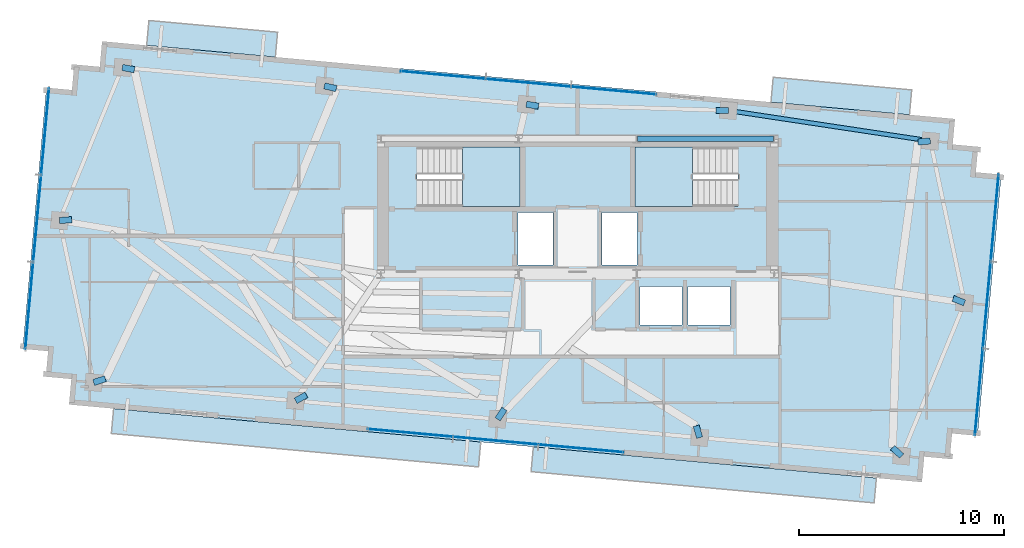
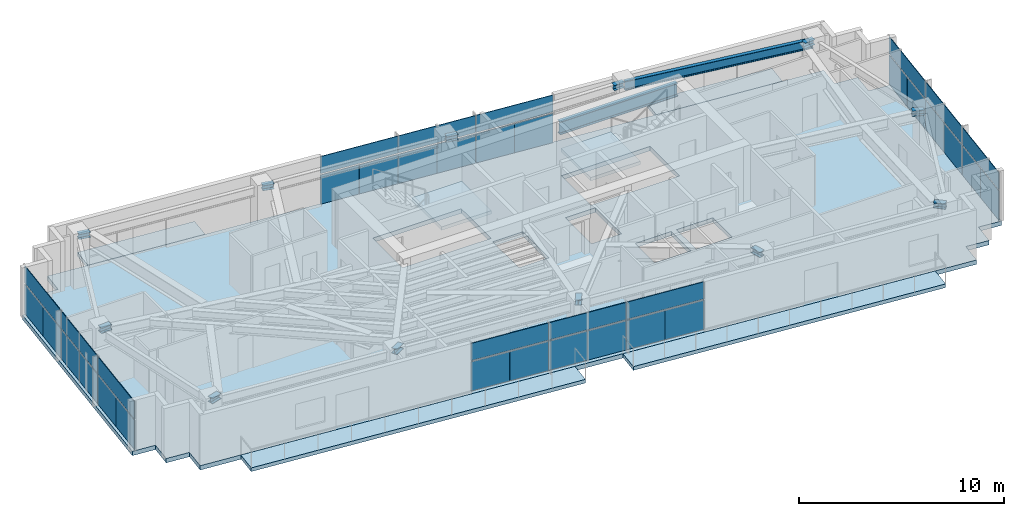
# One storey, part 15 of 22: 36 plates, 14 beams, 7 slabs, 6 elements without a shape of their own.
"""IFC4 building model written with IfcOpenShell, lengths in metres."""

from ifc_helpers import new_model, si_unit, direction, frame, origin, origin_2d, place, context, subcontext, project, spatial, polyline, rectangle, i_section, outline, extrude, source, transform, mapped, material, layer, layer_set, material_profile, profile_set, type_object, type_shapes, element, aggregate, save


model = new_model("IFC4")

# Units and contexts
model_context = context("Model", 3, precision=1e-05, world=origin(), true_north=direction((0.0, 1.0)))
body_context = subcontext(model_context, "Body", "Model", "MODEL_VIEW")
ifc_project = project(units=[si_unit("LENGTHUNIT", "METRE"), si_unit("AREAUNIT", "SQUARE_METRE"), si_unit("VOLUMEUNIT", "CUBIC_METRE"), si_unit("PLANEANGLEUNIT", "RADIAN"), si_unit("MASSUNIT", "GRAM", prefix="KILO")], contexts=[model_context])

# Site, building, storey
site_placement = place(None, origin())
site = spatial("IfcSite", under=ifc_project, at=site_placement, CompositionType="ELEMENT")
building_placement = place(site_placement, origin())
building = spatial("IfcBuilding", under=site, at=building_placement, Name="Astriad Promenade Condominiums", CompositionType="ELEMENT")
storey_placement = place(building_placement, frame((0.0, 0.0, 256.199951171875)))
storey = spatial("IfcBuildingStorey", under=building, at=storey_placement, Name="L74", CompositionType="ELEMENT", Elevation=256.199951171875)

# Beams
ifc_material_1 = material(Name="Steel ASTM A992 Grade 50", Category="steel")
ifc_material_profile_1 = material_profile(ifc_material_1, i_section(OverallWidth=0.267822265625, OverallDepth=0.76953125, WebThickness=0.015625, FlangeThickness=0.025390625, FilletRadius=0.021484375, at=origin_2d()), Name="W30X132")
ifc_profile_set_1 = profile_set([ifc_material_profile_1], Name="Steel ASTM A992 Grade 50")
beam_type_1 = type_object("IfcBeamType", Name="STEEL FLOOR GIRDER W30X132", PredefinedType="BEAM", material=ifc_profile_set_1)
shared_shape_1 = source(origin(), body_context, "Body", "SweptSolid", [
    extrude(i_section(OverallWidth=0.267822265625, OverallDepth=0.76953125, WebThickness=0.015625, FlangeThickness=0.025390625, FilletRadius=0.021484375, at=origin_2d()), origin(), (0.0, 0.0, 1.0), 6.64013671875),
])
type_shapes(beam_type_1, [shared_shape_1])
beam_1_placement = place(storey_placement, frame((38.919921875, 24.0, 2.615234375), z_axis=(1.0, 0.0, 0.0), x_axis=(0.0, 1.0, 0.0)))
element("IfcBeam", 1, at=beam_1_placement, inside=storey, type_object=beam_type_1, Name="Core Ring Beam CG-N3-L74", PredefinedType="BEAM", context=body_context, shape_type="MappedRepresentation", body=[
    mapped(shared_shape_1, transform((0.0, 0.0, 0.0), scale=1.0)),
])
ifc_material_profile_2 = material_profile(ifc_material_1, i_section(OverallWidth=0.3046875, OverallDepth=0.307861328125, WebThickness=0.010009765625, FlangeThickness=0.015380859375, FilletRadius=0.01513671875, at=origin_2d()), Name="W12X65")
ifc_profile_set_2 = profile_set([ifc_material_profile_2], Name="Steel ASTM A992 Grade 50")
beam_type_2 = type_object("IfcBeamType", Name="STEEL TRANSFER SPLICE HEADER W12X65", PredefinedType="LINTEL", material=ifc_profile_set_2)
shared_shape_2 = source(origin(), body_context, "Body", "SweptSolid", [
    extrude(i_section(OverallWidth=0.3046875, OverallDepth=0.307861328125, WebThickness=0.010009765625, FlangeThickness=0.015380859375, FilletRadius=0.01513671875, at=origin_2d()), origin(), (0.0, 0.0, 1.0), 0.6015625),
])
for number, where, z_axis, x_axis, name in (
    (2, (12.3818359375, 12.106201171875, 2.84619140625), (0.952819131931, 0.30353863317, 0.0), (-0.30353863317, 0.952819131931, 0.0), "Column Transfer Splice Header SPL-PC01-L74"),
    (3, (22.2412109375, 11.208984375, 2.84619140625), (0.871076434957, 0.491147477305, 0.0), (-0.491147477305, 0.871076434957, 0.0), "Column Transfer Splice Header SPL-PC02-L74"),
    (4, (41.959716796875, 9.41455078125, 2.84619140625), (-0.282913407584, 0.95914545498, 0.0), (-0.95914545498, -0.282913407584, 0.0), "Column Transfer Splice Header SPL-PC04-L74"),
    (5, (51.81884765625, 8.51708984375, 2.84619140625), (-0.738634842886, 0.674105754963, 0.0), (-0.674105754963, -0.738634842886, 0.0), "Column Transfer Splice Header SPL-PC05-L74"),
    (6, (13.78125, 27.48291015625, 2.84619140625), (0.982423707551, -0.18666456236, 0.0), (0.18666456236, 0.982423707551, 0.0), "Column Transfer Splice Header SPL-PC06-L74"),
    (7, (33.499755859375, 25.688232421875, 2.84619140625), (0.985851152126, -0.167623106557, 0.0), (0.167623106557, 0.985851152126, 0.0), "Column Transfer Splice Header SPL-PC08-L74"),
    (8, (43.35888671875, 25.3798828125, 2.84619140625), (-1.0, 0.0, 0.0), (0.0, -1.0, 0.0), "Column Transfer Splice Header SPL-PC09-L74"),
    (9, (53.21826171875, 23.893798828125, 2.84619140625), (-0.996634733754, -0.081970772076, 0.0), (0.081970772076, -0.996634733754, 0.0), "Column Transfer Splice Header SPL-PC10-L74"),
    (10, (10.711181640625, 20.01025390625, 2.84619140625), (0.997560663074, 0.06980489587, 0.0), (-0.06980489587, 0.997560663074, 0.0), "Column Transfer Splice Header SPL-PC11-L74"),
    (11, (54.888671875, 15.98974609375, 2.84619140625), (-0.930726823416, 0.365715162625, 0.0), (-0.365715162625, -0.930726823416, 0.0), "Column Transfer Splice Header SPL-PC12-L74"),
):
    element("IfcBeam", number, at=place(storey_placement, frame(where, z_axis=z_axis, x_axis=x_axis)), inside=storey, type_object=beam_type_2, Name=name, PredefinedType="LINTEL", context=body_context, shape_type="MappedRepresentation", body=[
        mapped(shared_shape_2, transform((0.0, 0.0, 0.0), scale=1.0)),
    ])
shared_shape_3 = source(origin(), body_context, "Body", "SweptSolid", [
    extrude(i_section(OverallWidth=0.3046875, OverallDepth=0.307861328125, WebThickness=0.010009765625, FlangeThickness=0.015380859375, FilletRadius=0.01513671875, at=origin_2d()), origin(), (0.0, 0.0, 1.0), 0.601318359375),
])
type_shapes(beam_type_2, [shared_shape_2, shared_shape_3])
for number, where, z_axis, x_axis, name in (
    (12, (32.100341796875, 10.311767578125, 2.84619140625), (0.543974857906, 0.839101515889, 0.0), (-0.839101515889, 0.543974857906, 0.0), "Column Transfer Splice Header SPL-PC03-L74"),
    (13, (23.640380859375, 26.58544921875, 2.84619140625), (0.973053927876, -0.230577651662, 0.0), (0.230577651662, 0.973053927876, 0.0), "Column Transfer Splice Header SPL-PC07-L74"),
):
    element("IfcBeam", number, at=place(storey_placement, frame(where, z_axis=z_axis, x_axis=x_axis)), inside=storey, type_object=beam_type_2, Name=name, PredefinedType="LINTEL", context=body_context, shape_type="MappedRepresentation", body=[
        mapped(shared_shape_3, transform((0.0, 0.0, 0.0), scale=1.0)),
    ])
ifc_material_profile_3 = material_profile(ifc_material_1, i_section(OverallWidth=0.210693359375, OverallDepth=0.53955078125, WebThickness=0.01171875, FlangeThickness=0.018798828125, FilletRadius=0.0166015625, at=origin_2d()), Name="W21X73")
ifc_profile_set_3 = profile_set([ifc_material_profile_3], Name="Steel ASTM A992 Grade 50")
beam_type_3 = type_object("IfcBeamType", Name="STEEL SPANDREL BEAM W21X73", PredefinedType="SPANDREL", material=ifc_profile_set_3)
shared_shape_4 = source(origin(), body_context, "Body", "SweptSolid", [
    extrude(i_section(OverallWidth=0.210693359375, OverallDepth=0.53955078125, WebThickness=0.01171875, FlangeThickness=0.018798828125, FilletRadius=0.0166015625, at=origin_2d()), origin(), (0.0, 0.0, 1.0), 9.890869140625),
])
type_shapes(beam_type_3, [shared_shape_4])
beam_2_placement = place(storey_placement, frame((53.1787109375, 23.899658203125, 2.73046875), z_axis=(-0.988827455442, 0.149064628143, 0.0), x_axis=(-0.149064628143, -0.988827455442, 0.0)))
element("IfcBeam", 14, at=beam_2_placement, inside=storey, type_object=beam_type_3, Name="Perimeter Spandrel Beam SP-N4-L74", PredefinedType="SPANDREL", context=body_context, shape_type="MappedRepresentation", body=[
    mapped(shared_shape_4, transform((0.0, 0.0, 0.0), scale=1.0)),
])

# Slab
ifc_material_2 = material(Name="Concrete C50/60", Category="concrete")
ifc_layer_1 = layer(ifc_material_2, 0.260009765625)
ifc_layer_set_1 = layer_set([ifc_layer_1], Name="Concrete C50/60")
slab_type_1 = type_object("IfcSlabType", Name="CONCRETE TOWER FLOOR SLAB 260", PredefinedType="FLOOR", material=ifc_layer_set_1)
slab_1_placement = place(storey_placement, frame((0.0, 0.0, -0.260009765625)))
element("IfcSlab", 15, at=slab_1_placement, inside=storey, type_object=slab_type_1, Name="Structural Floor Slab (L74)", PredefinedType="FLOOR", context=body_context, shape_type="SweptSolid", body=[
    extrude(outline(polyline([(11.179443359375, 11.03076171875), (52.807373046875, 7.242431640625), (52.920654296875, 8.4873046875), (54.16552734375, 8.3740234375), (54.27880859375, 9.618896484375), (55.523681640625, 9.505615234375), (56.68359375, 22.2529296875), (55.43896484375, 22.3662109375), (55.55224609375, 23.611083984375), (54.307373046875, 23.724365234375), (54.420654296875, 24.96923828125), (12.79248046875, 28.757568359375), (12.679443359375, 27.5126953125), (11.4345703125, 27.6259765625), (11.3212890625, 26.381103515625), (10.076416015625, 26.494384765625), (8.916259765625, 13.7470703125), (10.1611328125, 13.6337890625), (10.0478515625, 12.388916015625), (11.292724609375, 12.275634765625), (11.179443359375, 11.03076171875)]), holes=[polyline([(28.175048828125, 20.699951171875), (33.175048828125, 20.699951171875), (33.175048828125, 23.60009765625), (28.175048828125, 23.60009765625), (28.175048828125, 20.699951171875)]), polyline([(38.824951171875, 20.699951171875), (43.824951171875, 20.699951171875), (43.824951171875, 23.60009765625), (38.824951171875, 23.60009765625), (38.824951171875, 20.699951171875)]), polyline([(33.10009765625, 17.85009765625), (34.800048828125, 17.85009765625), (34.800048828125, 20.39990234375), (33.10009765625, 20.39990234375), (33.10009765625, 17.85009765625)]), polyline([(37.199951171875, 17.85009765625), (38.89990234375, 17.85009765625), (38.89990234375, 20.39990234375), (37.199951171875, 20.39990234375), (37.199951171875, 17.85009765625)]), polyline([(39.050048828125, 14.89990234375), (41.10009765625, 14.89990234375), (41.10009765625, 16.800048828125), (39.050048828125, 16.800048828125), (39.050048828125, 14.89990234375)]), polyline([(41.39990234375, 14.89990234375), (43.449951171875, 14.89990234375), (43.449951171875, 16.800048828125), (41.39990234375, 16.800048828125), (41.39990234375, 14.89990234375)])]), origin(), (0.0, 0.0, 1.0), 0.260009765625),
])

# Stair, slab
stair_type = type_object("IfcStairType", Name="STR-CORE-1350", PredefinedType="HALF_TURN_STAIR", material=ifc_material_2)
stair_1_placement = place(storey_placement, origin())
stair_1 = element("IfcStair", 16, at=stair_1_placement, inside=storey, type_object=stair_type, Name="L74 Enclosed Core Exit Stair ST-1", PredefinedType="HALF_TURN_STAIR")
ifc_layer_2 = layer(ifc_material_2, 0.219970703125)
ifc_layer_set_2 = layer_set([ifc_layer_2], Name="Concrete C50/60")
slab_type_2 = type_object("IfcSlabType", Name="SLB-LANDING-220", PredefinedType="LANDING", material=ifc_layer_set_2)
slab_2_placement = place(storey_placement, frame((0.0, 0.0, 1.449951171875)))
slab_2 = element("IfcSlab", 17, at=slab_2_placement, type_object=slab_type_2, Name="ST-1 landing 1", PredefinedType="LANDING", context=body_context, shape_type="SweptSolid", body=[
    extrude(outline(polyline([(30.389892578125, 20.699951171875), (33.199951171875, 20.699951171875), (33.199951171875, 23.60009765625), (30.389892578125, 23.60009765625), (30.389892578125, 20.699951171875)])), origin(), (0.0, 0.0, 1.0), 0.2001953125),
])
aggregate(stair_1, [slab_2])

stair_2_placement = place(storey_placement, origin())
stair_2 = element("IfcStair", 18, at=stair_2_placement, inside=storey, type_object=stair_type, Name="L74 Enclosed Core Exit Stair ST-2", PredefinedType="HALF_TURN_STAIR")
slab_3_placement = place(storey_placement, frame((0.0, 0.0, 1.449951171875)))
slab_3 = element("IfcSlab", 19, at=slab_3_placement, type_object=slab_type_2, Name="ST-2 landing 1", PredefinedType="LANDING", context=body_context, shape_type="SweptSolid", body=[
    extrude(outline(polyline([(41.610107421875, 23.60009765625), (38.800048828125, 23.60009765625), (38.800048828125, 20.699951171875), (41.610107421875, 20.699951171875), (41.610107421875, 23.60009765625)])), origin(), (0.0, 0.0, 1.0), 0.2001953125),
])
aggregate(stair_2, [slab_3])

# Slabs
ifc_material_3 = material(Name="Precast concrete C50/60", Category="concrete")
ifc_layer_3 = layer(ifc_material_3, 0.219970703125)
ifc_layer_set_3 = layer_set([ifc_layer_3], Name="Precast concrete C50/60")
slab_type_3 = type_object("IfcSlabType", Name="WHITE PRECAST CONCRETE WAVE BALCONY SLAB 220", PredefinedType="FLOOR", material=ifc_layer_set_3)
slab_4_placement = place(storey_placement, frame((0.0, 0.0, -0.219970703125)))
element("IfcSlab", 20, at=slab_4_placement, inside=storey, type_object=slab_type_3, Name="White Precast Wave Balcony Slab BAL-L74-SW", PredefinedType="FLOOR", context=body_context, shape_type="SweptSolid", body=[
    extrude(outline(polyline([(31.163818359375, 7.987060546875), (13.244873046875, 9.617919921875), (13.355224609375, 10.830810546875), (31.274169921875, 9.2001953125), (31.163818359375, 7.987060546875)])), origin(), (0.0, 0.0, 1.0), 0.219970703125),
])
slab_5_placement = place(storey_placement, frame((0.0, 0.0, -0.219970703125)))
element("IfcSlab", 21, at=slab_5_placement, inside=storey, type_object=slab_type_3, Name="White Precast Wave Balcony Slab BAL-L74-SE", PredefinedType="FLOOR", context=body_context, shape_type="SweptSolid", body=[
    extrude(outline(polyline([(50.47509765625, 6.2294921875), (33.731201171875, 7.75341796875), (33.841552734375, 8.96630859375), (50.585205078125, 7.442626953125), (50.47509765625, 6.2294921875)])), origin(), (0.0, 0.0, 1.0), 0.219970703125),
])
slab_6_placement = place(storey_placement, frame((0.0, 0.0, -0.219970703125)))
element("IfcSlab", 22, at=slab_6_placement, inside=storey, type_object=slab_type_3, Name="White Precast Wave Balcony Slab BAL-L74-NW", PredefinedType="FLOOR", context=body_context, shape_type="SweptSolid", body=[
    extrude(outline(polyline([(15.0791015625, 29.7744140625), (21.3583984375, 29.203125), (21.247802734375, 27.989990234375), (14.968994140625, 28.5615234375), (15.0791015625, 29.7744140625)])), origin(), (0.0, 0.0, 1.0), 0.219970703125),
])
slab_7_placement = place(storey_placement, frame((0.0, 0.0, -0.219970703125)))
element("IfcSlab", 23, at=slab_7_placement, inside=storey, type_object=slab_type_3, Name="White Precast Wave Balcony Slab BAL-L74-NE", PredefinedType="FLOOR", context=body_context, shape_type="SweptSolid", body=[
    extrude(outline(polyline([(45.437744140625, 25.78662109375), (52.19873046875, 25.17138671875), (52.309326171875, 26.38623046875), (45.54833984375, 27.001708984375), (45.437744140625, 25.78662109375)])), origin(), (0.0, 0.0, 1.0), 0.219970703125),
])

# Curtain wall, plates
ifc_material_4 = material(Name="Anodised aluminium Black Dark Glass Unitised", Category="aluminium")
curtain_wall_type = type_object("IfcCurtainWallType", Name="CW-B5-DARK", PredefinedType="USERDEFINED", material=ifc_material_4)
curtain_wall_1_placement = place(storey_placement, origin())
curtain_wall_1 = element("IfcCurtainWall", 24, at=curtain_wall_1_placement, inside=storey, type_object=curtain_wall_type, Name="CW-L74-W", ObjectType="UNITISED_CURTAIN_WALL", PredefinedType="USERDEFINED")
ifc_material_5 = material(Name="Dark Tinted Low-E Laminated Glass", Category="glass")
ifc_layer_4 = layer(ifc_material_5, 0.035888671875)
ifc_layer_set_4 = layer_set([ifc_layer_4], Name="Dark Tinted Low-E Laminated Glass")
plate_type = type_object("IfcPlateType", Name="PNL-DARK-GLASS-36", PredefinedType="CURTAIN_PANEL", material=ifc_layer_set_4)
shared_shape_5 = source(origin(), body_context, "Body", "SweptSolid", [
    extrude(rectangle(XDim=2.121337890625, YDim=0.035888671875, at=origin_2d()), origin(), (0.0, 0.0, 1.0), 1.739990234375),
])
plate_1_placement = place(storey_placement, frame((9.142578125, 14.797607421875, 0.080078125), z_axis=(0.0, 0.0, 1.0), x_axis=(0.090632580198, 0.995884398616, 0.0)))
plate_1 = element("IfcPlate", 25, at=plate_1_placement, type_object=plate_type, Name="CW-L74-W-PNL-00-VL", PredefinedType="CURTAIN_PANEL", context=body_context, shape_type="MappedRepresentation", body=[
    mapped(shared_shape_5, transform((0.0, 0.0, 0.0), scale=1.0)),
])
plate_2_placement = place(storey_placement, frame((9.335693359375, 16.922119140625, 0.080078125), z_axis=(0.0, 0.0, 1.0), x_axis=(0.090632580198, 0.995884398616, 0.0)))
plate_2 = element("IfcPlate", 26, at=plate_2_placement, type_object=plate_type, Name="CW-L74-W-PNL-00-VR", PredefinedType="CURTAIN_PANEL", context=body_context, shape_type="MappedRepresentation", body=[
    mapped(shared_shape_5, transform((0.0, 0.0, 0.0), scale=1.0)),
])
plate_3_placement = place(storey_placement, frame((9.529296875, 19.046630859375, 0.080078125), z_axis=(0.0, 0.0, 1.0), x_axis=(0.090632580198, 0.995884398616, 0.0)))
plate_3 = element("IfcPlate", 27, at=plate_3_placement, type_object=plate_type, Name="CW-L74-W-PNL-01-VL", PredefinedType="CURTAIN_PANEL", context=body_context, shape_type="MappedRepresentation", body=[
    mapped(shared_shape_5, transform((0.0, 0.0, 0.0), scale=1.0)),
])
plate_4_placement = place(storey_placement, frame((9.722412109375, 21.17138671875, 0.080078125), z_axis=(0.0, 0.0, 1.0), x_axis=(0.090632580198, 0.995884398616, 0.0)))
plate_4 = element("IfcPlate", 28, at=plate_4_placement, type_object=plate_type, Name="CW-L74-W-PNL-01-VR", PredefinedType="CURTAIN_PANEL", context=body_context, shape_type="MappedRepresentation", body=[
    mapped(shared_shape_5, transform((0.0, 0.0, 0.0), scale=1.0)),
])
plate_5_placement = place(storey_placement, frame((9.916015625, 23.2958984375, 0.080078125), z_axis=(0.0, 0.0, 1.0), x_axis=(0.090632580198, 0.995884398616, 0.0)))
plate_5 = element("IfcPlate", 29, at=plate_5_placement, type_object=plate_type, Name="CW-L74-W-PNL-02-VL", PredefinedType="CURTAIN_PANEL", context=body_context, shape_type="MappedRepresentation", body=[
    mapped(shared_shape_5, transform((0.0, 0.0, 0.0), scale=1.0)),
])
plate_6_placement = place(storey_placement, frame((10.109130859375, 25.42041015625, 0.080078125), z_axis=(0.0, 0.0, 1.0), x_axis=(0.090632580198, 0.995884398616, 0.0)))
plate_6 = element("IfcPlate", 30, at=plate_6_placement, type_object=plate_type, Name="CW-L74-W-PNL-02-VR", PredefinedType="CURTAIN_PANEL", context=body_context, shape_type="MappedRepresentation", body=[
    mapped(shared_shape_5, transform((0.0, 0.0, 0.0), scale=1.0)),
])

curtain_wall_2_placement = place(storey_placement, origin())
curtain_wall_2 = element("IfcCurtainWall", 31, at=curtain_wall_2_placement, inside=storey, type_object=curtain_wall_type, Name="CW-L74-E", ObjectType="UNITISED_CURTAIN_WALL", PredefinedType="USERDEFINED")
plate_7_placement = place(storey_placement, frame((56.45751953125, 21.202392578125, 0.080078125), z_axis=(0.0, 0.0, 1.0), x_axis=(-0.090632580198, -0.995884398616, 0.0)))
plate_7 = element("IfcPlate", 32, at=plate_7_placement, type_object=plate_type, Name="CW-L74-E-PNL-00-VL", PredefinedType="CURTAIN_PANEL", context=body_context, shape_type="MappedRepresentation", body=[
    mapped(shared_shape_5, transform((0.0, 0.0, 0.0), scale=1.0)),
])
plate_8_placement = place(storey_placement, frame((56.26416015625, 19.077880859375, 0.080078125), z_axis=(0.0, 0.0, 1.0), x_axis=(-0.090632580198, -0.995884398616, 0.0)))
plate_8 = element("IfcPlate", 33, at=plate_8_placement, type_object=plate_type, Name="CW-L74-E-PNL-00-VR", PredefinedType="CURTAIN_PANEL", context=body_context, shape_type="MappedRepresentation", body=[
    mapped(shared_shape_5, transform((0.0, 0.0, 0.0), scale=1.0)),
])
plate_9_placement = place(storey_placement, frame((56.07080078125, 16.953369140625, 0.080078125), z_axis=(0.0, 0.0, 1.0), x_axis=(-0.090632580198, -0.995884398616, 0.0)))
plate_9 = element("IfcPlate", 34, at=plate_9_placement, type_object=plate_type, Name="CW-L74-E-PNL-01-VL", PredefinedType="CURTAIN_PANEL", context=body_context, shape_type="MappedRepresentation", body=[
    mapped(shared_shape_5, transform((0.0, 0.0, 0.0), scale=1.0)),
])
plate_10_placement = place(storey_placement, frame((55.87744140625, 14.82861328125, 0.080078125), z_axis=(0.0, 0.0, 1.0), x_axis=(-0.090632580198, -0.995884398616, 0.0)))
plate_10 = element("IfcPlate", 35, at=plate_10_placement, type_object=plate_type, Name="CW-L74-E-PNL-01-VR", PredefinedType="CURTAIN_PANEL", context=body_context, shape_type="MappedRepresentation", body=[
    mapped(shared_shape_5, transform((0.0, 0.0, 0.0), scale=1.0)),
])
plate_11_placement = place(storey_placement, frame((55.68408203125, 12.7041015625, 0.080078125), z_axis=(0.0, 0.0, 1.0), x_axis=(-0.090632580198, -0.995884398616, 0.0)))
plate_11 = element("IfcPlate", 36, at=plate_11_placement, type_object=plate_type, Name="CW-L74-E-PNL-02-VL", PredefinedType="CURTAIN_PANEL", context=body_context, shape_type="MappedRepresentation", body=[
    mapped(shared_shape_5, transform((0.0, 0.0, 0.0), scale=1.0)),
])
plate_12_placement = place(storey_placement, frame((55.49072265625, 10.57958984375, 0.080078125), z_axis=(0.0, 0.0, 1.0), x_axis=(-0.090632580198, -0.995884398616, 0.0)))
plate_12 = element("IfcPlate", 37, at=plate_12_placement, type_object=plate_type, Name="CW-L74-E-PNL-02-VR", PredefinedType="CURTAIN_PANEL", context=body_context, shape_type="MappedRepresentation", body=[
    mapped(shared_shape_5, transform((0.0, 0.0, 0.0), scale=1.0)),
])

# Plate
shared_shape_6 = source(origin(), body_context, "Body", "SweptSolid", [
    extrude(rectangle(XDim=4.254638671875, YDim=0.035888671875, at=origin_2d()), origin(), (0.0, 0.0, 1.0), 1.02001953125),
])
plate_13_placement = place(storey_placement, frame((9.239013671875, 15.85986328125, 1.900146484375), z_axis=(0.0, 0.0, 1.0), x_axis=(0.090632580198, 0.995884398616, 0.0)))
plate_13 = element("IfcPlate", 38, at=plate_13_placement, type_object=plate_type, Name="CW-L74-W-PNL-00-S", PredefinedType="CURTAIN_PANEL", context=body_context, shape_type="MappedRepresentation", body=[
    mapped(shared_shape_6, transform((0.0, 0.0, 0.0), scale=1.0)),
])

plate_14_placement = place(storey_placement, frame((9.625732421875, 20.10888671875, 1.900146484375), z_axis=(0.0, 0.0, 1.0), x_axis=(0.090632580198, 0.995884398616, 0.0)))
plate_14 = element("IfcPlate", 39, at=plate_14_placement, type_object=plate_type, Name="CW-L74-W-PNL-01-S", PredefinedType="CURTAIN_PANEL", context=body_context, shape_type="MappedRepresentation", body=[
    mapped(shared_shape_6, transform((0.0, 0.0, 0.0), scale=1.0)),
])

plate_15_placement = place(storey_placement, frame((10.0126953125, 24.358154296875, 1.900146484375), z_axis=(0.0, 0.0, 1.0), x_axis=(0.090632580198, 0.995884398616, 0.0)))
plate_15 = element("IfcPlate", 40, at=plate_15_placement, type_object=plate_type, Name="CW-L74-W-PNL-02-S", PredefinedType="CURTAIN_PANEL", context=body_context, shape_type="MappedRepresentation", body=[
    mapped(shared_shape_6, transform((0.0, 0.0, 0.0), scale=1.0)),
])

aggregate(curtain_wall_1, [plate_1, plate_2, plate_13, plate_3, plate_4, plate_14, plate_5, plate_6, plate_15])

plate_16_placement = place(storey_placement, frame((56.36083984375, 20.14013671875, 1.900146484375), z_axis=(0.0, 0.0, 1.0), x_axis=(-0.090632580198, -0.995884398616, 0.0)))
plate_16 = element("IfcPlate", 41, at=plate_16_placement, type_object=plate_type, Name="CW-L74-E-PNL-00-S", PredefinedType="CURTAIN_PANEL", context=body_context, shape_type="MappedRepresentation", body=[
    mapped(shared_shape_6, transform((0.0, 0.0, 0.0), scale=1.0)),
])

plate_17_placement = place(storey_placement, frame((55.97412109375, 15.89111328125, 1.900146484375), z_axis=(0.0, 0.0, 1.0), x_axis=(-0.090632580198, -0.995884398616, 0.0)))
plate_17 = element("IfcPlate", 42, at=plate_17_placement, type_object=plate_type, Name="CW-L74-E-PNL-01-S", PredefinedType="CURTAIN_PANEL", context=body_context, shape_type="MappedRepresentation", body=[
    mapped(shared_shape_6, transform((0.0, 0.0, 0.0), scale=1.0)),
])

plate_18_placement = place(storey_placement, frame((55.58740234375, 11.641845703125, 1.900146484375), z_axis=(0.0, 0.0, 1.0), x_axis=(-0.090632580198, -0.995884398616, 0.0)))
plate_18 = element("IfcPlate", 43, at=plate_18_placement, type_object=plate_type, Name="CW-L74-E-PNL-02-S", PredefinedType="CURTAIN_PANEL", context=body_context, shape_type="MappedRepresentation", body=[
    mapped(shared_shape_6, transform((0.0, 0.0, 0.0), scale=1.0)),
])

aggregate(curtain_wall_2, [plate_7, plate_8, plate_16, plate_9, plate_10, plate_17, plate_11, plate_12, plate_18])

# Curtain wall, plates
curtain_wall_3_placement = place(storey_placement, origin())
curtain_wall_3 = element("IfcCurtainWall", 44, at=curtain_wall_3_placement, inside=storey, type_object=curtain_wall_type, Name="CW-L74-N", ObjectType="UNITISED_CURTAIN_WALL", PredefinedType="USERDEFINED")
shared_shape_7 = source(origin(), body_context, "Body", "SweptSolid", [
    extrude(rectangle(XDim=2.077880859375, YDim=0.035888671875, at=origin_2d()), origin(), (0.0, 0.0, 1.0), 1.739990234375),
])
plate_19_placement = place(storey_placement, frame((28.391357421875, 27.20751953125, 0.080078125), z_axis=(0.0, 0.0, 1.0), x_axis=(0.995884398616, -0.090632580198, 0.0)))
plate_19 = element("IfcPlate", 45, at=plate_19_placement, type_object=plate_type, Name="CW-L74-N-PNL-00-VL", PredefinedType="CURTAIN_PANEL", context=body_context, shape_type="MappedRepresentation", body=[
    mapped(shared_shape_7, transform((0.0, 0.0, 0.0), scale=1.0)),
])
plate_20_placement = place(storey_placement, frame((30.47265625, 27.01806640625, 0.080078125), z_axis=(0.0, 0.0, 1.0), x_axis=(0.995884398616, -0.090632580198, 0.0)))
plate_20 = element("IfcPlate", 46, at=plate_20_placement, type_object=plate_type, Name="CW-L74-N-PNL-00-VR", PredefinedType="CURTAIN_PANEL", context=body_context, shape_type="MappedRepresentation", body=[
    mapped(shared_shape_7, transform((0.0, 0.0, 0.0), scale=1.0)),
])
plate_21_placement = place(storey_placement, frame((32.55419921875, 26.82861328125, 0.080078125), z_axis=(0.0, 0.0, 1.0), x_axis=(0.995884398616, -0.090632580198, 0.0)))
plate_21 = element("IfcPlate", 47, at=plate_21_placement, type_object=plate_type, Name="CW-L74-N-PNL-01-VL", PredefinedType="CURTAIN_PANEL", context=body_context, shape_type="MappedRepresentation", body=[
    mapped(shared_shape_7, transform((0.0, 0.0, 0.0), scale=1.0)),
])
plate_22_placement = place(storey_placement, frame((34.635498046875, 26.63916015625, 0.080078125), z_axis=(0.0, 0.0, 1.0), x_axis=(0.995884398616, -0.090632580198, 0.0)))
plate_22 = element("IfcPlate", 48, at=plate_22_placement, type_object=plate_type, Name="CW-L74-N-PNL-01-VR", PredefinedType="CURTAIN_PANEL", context=body_context, shape_type="MappedRepresentation", body=[
    mapped(shared_shape_7, transform((0.0, 0.0, 0.0), scale=1.0)),
])
plate_23_placement = place(storey_placement, frame((36.716796875, 26.44970703125, 0.080078125), z_axis=(0.0, 0.0, 1.0), x_axis=(0.995884398616, -0.090632580198, 0.0)))
plate_23 = element("IfcPlate", 49, at=plate_23_placement, type_object=plate_type, Name="CW-L74-N-PNL-02-VL", PredefinedType="CURTAIN_PANEL", context=body_context, shape_type="MappedRepresentation", body=[
    mapped(shared_shape_7, transform((0.0, 0.0, 0.0), scale=1.0)),
])
plate_24_placement = place(storey_placement, frame((38.79833984375, 26.26025390625, 0.080078125), z_axis=(0.0, 0.0, 1.0), x_axis=(0.995884398616, -0.090632580198, 0.0)))
plate_24 = element("IfcPlate", 50, at=plate_24_placement, type_object=plate_type, Name="CW-L74-N-PNL-02-VR", PredefinedType="CURTAIN_PANEL", context=body_context, shape_type="MappedRepresentation", body=[
    mapped(shared_shape_7, transform((0.0, 0.0, 0.0), scale=1.0)),
])

curtain_wall_4_placement = place(storey_placement, origin())
curtain_wall_4 = element("IfcCurtainWall", 51, at=curtain_wall_4_placement, inside=storey, type_object=curtain_wall_type, Name="CW-L74-S", ObjectType="UNITISED_CURTAIN_WALL", PredefinedType="USERDEFINED")
plate_25_placement = place(storey_placement, frame((37.208740234375, 8.79248046875, 0.080078125), z_axis=(0.0, 0.0, 1.0), x_axis=(-0.995884398616, 0.090632580198, 0.0)))
plate_25 = element("IfcPlate", 52, at=plate_25_placement, type_object=plate_type, Name="CW-L74-S-PNL-00-VL", PredefinedType="CURTAIN_PANEL", context=body_context, shape_type="MappedRepresentation", body=[
    mapped(shared_shape_7, transform((0.0, 0.0, 0.0), scale=1.0)),
])
plate_26_placement = place(storey_placement, frame((35.127197265625, 8.98193359375, 0.080078125), z_axis=(0.0, 0.0, 1.0), x_axis=(-0.995884398616, 0.090632580198, 0.0)))
plate_26 = element("IfcPlate", 53, at=plate_26_placement, type_object=plate_type, Name="CW-L74-S-PNL-00-VR", PredefinedType="CURTAIN_PANEL", context=body_context, shape_type="MappedRepresentation", body=[
    mapped(shared_shape_7, transform((0.0, 0.0, 0.0), scale=1.0)),
])
plate_27_placement = place(storey_placement, frame((33.0458984375, 9.17138671875, 0.080078125), z_axis=(0.0, 0.0, 1.0), x_axis=(-0.995884398616, 0.090632580198, 0.0)))
plate_27 = element("IfcPlate", 54, at=plate_27_placement, type_object=plate_type, Name="CW-L74-S-PNL-01-VL", PredefinedType="CURTAIN_PANEL", context=body_context, shape_type="MappedRepresentation", body=[
    mapped(shared_shape_7, transform((0.0, 0.0, 0.0), scale=1.0)),
])
plate_28_placement = place(storey_placement, frame((30.964599609375, 9.36083984375, 0.080078125), z_axis=(0.0, 0.0, 1.0), x_axis=(-0.995884398616, 0.090632580198, 0.0)))
plate_28 = element("IfcPlate", 55, at=plate_28_placement, type_object=plate_type, Name="CW-L74-S-PNL-01-VR", PredefinedType="CURTAIN_PANEL", context=body_context, shape_type="MappedRepresentation", body=[
    mapped(shared_shape_7, transform((0.0, 0.0, 0.0), scale=1.0)),
])
plate_29_placement = place(storey_placement, frame((28.883056640625, 9.55029296875, 0.080078125), z_axis=(0.0, 0.0, 1.0), x_axis=(-0.995884398616, 0.090632580198, 0.0)))
plate_29 = element("IfcPlate", 56, at=plate_29_placement, type_object=plate_type, Name="CW-L74-S-PNL-02-VL", PredefinedType="CURTAIN_PANEL", context=body_context, shape_type="MappedRepresentation", body=[
    mapped(shared_shape_7, transform((0.0, 0.0, 0.0), scale=1.0)),
])
plate_30_placement = place(storey_placement, frame((26.8017578125, 9.73974609375, 0.080078125), z_axis=(0.0, 0.0, 1.0), x_axis=(-0.995884398616, 0.090632580198, 0.0)))
plate_30 = element("IfcPlate", 57, at=plate_30_placement, type_object=plate_type, Name="CW-L74-S-PNL-02-VR", PredefinedType="CURTAIN_PANEL", context=body_context, shape_type="MappedRepresentation", body=[
    mapped(shared_shape_7, transform((0.0, 0.0, 0.0), scale=1.0)),
])

# Plate
shared_shape_8 = source(origin(), body_context, "Body", "SweptSolid", [
    extrude(rectangle(XDim=4.16796875, YDim=0.035888671875, at=origin_2d()), origin(), (0.0, 0.0, 1.0), 1.02001953125),
])
type_shapes(plate_type, [shared_shape_5, shared_shape_6, shared_shape_7, shared_shape_8])
plate_31_placement = place(storey_placement, frame((29.431884765625, 27.11279296875, 1.900146484375), z_axis=(0.0, 0.0, 1.0), x_axis=(0.995884398616, -0.090632580198, 0.0)))
plate_31 = element("IfcPlate", 58, at=plate_31_placement, type_object=plate_type, Name="CW-L74-N-PNL-00-S", PredefinedType="CURTAIN_PANEL", context=body_context, shape_type="MappedRepresentation", body=[
    mapped(shared_shape_8, transform((0.0, 0.0, 0.0), scale=1.0)),
])

plate_32_placement = place(storey_placement, frame((33.5947265625, 26.73388671875, 1.900146484375), z_axis=(0.0, 0.0, 1.0), x_axis=(0.995884398616, -0.090632580198, 0.0)))
plate_32 = element("IfcPlate", 59, at=plate_32_placement, type_object=plate_type, Name="CW-L74-N-PNL-01-S", PredefinedType="CURTAIN_PANEL", context=body_context, shape_type="MappedRepresentation", body=[
    mapped(shared_shape_8, transform((0.0, 0.0, 0.0), scale=1.0)),
])

plate_33_placement = place(storey_placement, frame((37.757568359375, 26.35498046875, 1.900146484375), z_axis=(0.0, 0.0, 1.0), x_axis=(0.995884398616, -0.090632580198, 0.0)))
plate_33 = element("IfcPlate", 60, at=plate_33_placement, type_object=plate_type, Name="CW-L74-N-PNL-02-S", PredefinedType="CURTAIN_PANEL", context=body_context, shape_type="MappedRepresentation", body=[
    mapped(shared_shape_8, transform((0.0, 0.0, 0.0), scale=1.0)),
])

aggregate(curtain_wall_3, [plate_19, plate_20, plate_31, plate_21, plate_22, plate_32, plate_23, plate_24, plate_33])

plate_34_placement = place(storey_placement, frame((36.16796875, 8.88720703125, 1.900146484375), z_axis=(0.0, 0.0, 1.0), x_axis=(-0.995884398616, 0.090632580198, 0.0)))
plate_34 = element("IfcPlate", 61, at=plate_34_placement, type_object=plate_type, Name="CW-L74-S-PNL-00-S", PredefinedType="CURTAIN_PANEL", context=body_context, shape_type="MappedRepresentation", body=[
    mapped(shared_shape_8, transform((0.0, 0.0, 0.0), scale=1.0)),
])

plate_35_placement = place(storey_placement, frame((32.005126953125, 9.26611328125, 1.900146484375), z_axis=(0.0, 0.0, 1.0), x_axis=(-0.995884398616, 0.090632580198, 0.0)))
plate_35 = element("IfcPlate", 62, at=plate_35_placement, type_object=plate_type, Name="CW-L74-S-PNL-01-S", PredefinedType="CURTAIN_PANEL", context=body_context, shape_type="MappedRepresentation", body=[
    mapped(shared_shape_8, transform((0.0, 0.0, 0.0), scale=1.0)),
])

plate_36_placement = place(storey_placement, frame((27.84228515625, 9.64501953125, 1.900146484375), z_axis=(0.0, 0.0, 1.0), x_axis=(-0.995884398616, 0.090632580198, 0.0)))
plate_36 = element("IfcPlate", 63, at=plate_36_placement, type_object=plate_type, Name="CW-L74-S-PNL-02-S", PredefinedType="CURTAIN_PANEL", context=body_context, shape_type="MappedRepresentation", body=[
    mapped(shared_shape_8, transform((0.0, 0.0, 0.0), scale=1.0)),
])

aggregate(curtain_wall_4, [plate_25, plate_26, plate_34, plate_27, plate_28, plate_35, plate_29, plate_30, plate_36])

save(model, "model.ifc")
